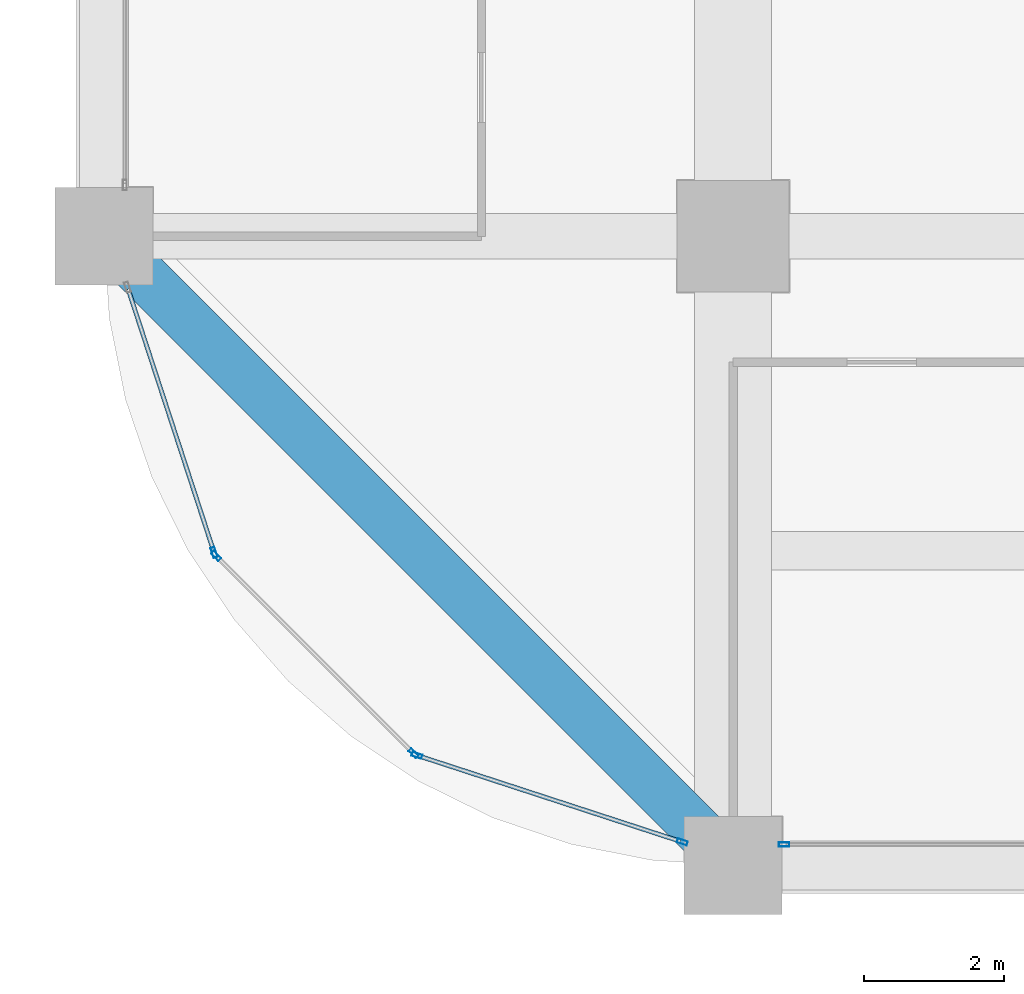
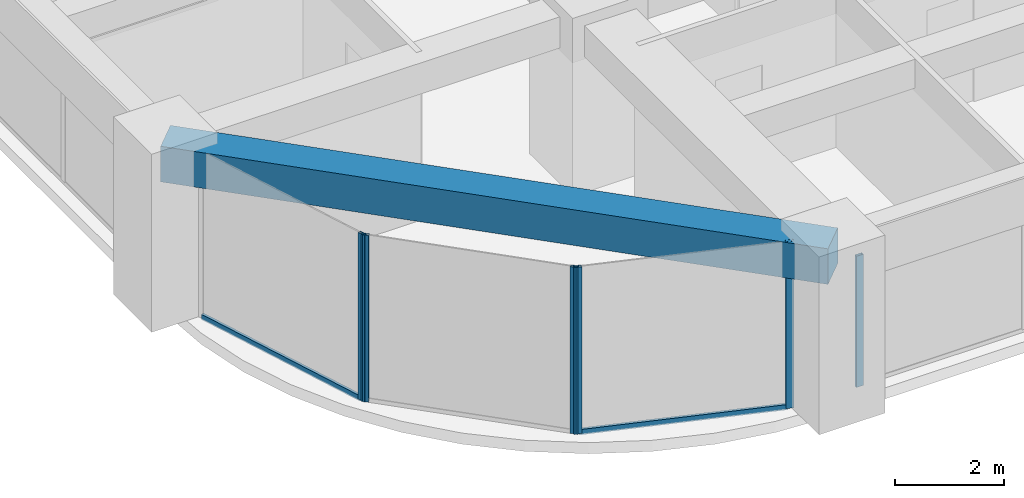
# One storey, part 2 of 34: 8 members, 1 beam, 4 elements without a shape of their own.
"""IFC4 building model written with IfcOpenShell, lengths in metres."""

from ifc_helpers import new_model, si_unit, direction, frame, origin, origin_2d, place, context, subcontext, project, spatial, rectangle, hollow_rectangle, extrude, material, material_profile, profile_set, type_object, element, aggregate, save


model = new_model("IFC4")

# Units and contexts
model_context = context("Model", 3, precision=1e-05, world=origin(), true_north=direction((0.0, 1.0)))
body_context = subcontext(model_context, "Body", "Model", "MODEL_VIEW")
ifc_project = project(units=[si_unit("LENGTHUNIT", "METRE"), si_unit("AREAUNIT", "SQUARE_METRE"), si_unit("VOLUMEUNIT", "CUBIC_METRE"), si_unit("PLANEANGLEUNIT", "RADIAN"), si_unit("MASSUNIT", "GRAM", prefix="KILO")], contexts=[model_context])

# Site, building, storey
site_placement = place(None, origin())
site = spatial("IfcSite", under=ifc_project, at=site_placement, CompositionType="ELEMENT")
building_placement = place(site_placement, origin())
building = spatial("IfcBuilding", under=site, at=building_placement, Name="Zorevar Civic Tower", CompositionType="ELEMENT")
storey_placement = place(building_placement, frame((0.0, 0.0, 170.199951171875)))
storey = spatial("IfcBuildingStorey", under=building, at=storey_placement, Name="L41", CompositionType="ELEMENT", Elevation=170.199951171875)

# Curtain wall, member
ifc_material_1 = material(Name="Dark grey solar-control glass in black aluminium frame", Category="aluminium")
curtain_wall_type = type_object("IfcCurtainWallType", Name="Curtain wall CW4 high zone", PredefinedType="NOTDEFINED", material=ifc_material_1)
curtain_wall_1_placement = place(storey_placement, origin())
curtain_wall_1 = element("IfcCurtainWall", 1, at=curtain_wall_1_placement, inside=storey, type_object=curtain_wall_type, Name="CW4 L41", PredefinedType="NOTDEFINED")
ifc_material_2 = material(Name="Aluminium, black anodised", Category="aluminium")
ifc_material_profile_1 = material_profile(ifc_material_2, hollow_rectangle(XDim=0.06005859375, YDim=0.14990234375, WallThickness=0.00390625, at=origin_2d()), Name="AL 150x60x4")
ifc_profile_set_1 = profile_set([ifc_material_profile_1], Name="Aluminium, black anodised")
member_type_1 = type_object("IfcMemberType", Name="CW4 mullion AL 150x60x4", PredefinedType="MULLION", material=ifc_profile_set_1)
member_1_placement = place(storey_placement, frame((9.72998046875, 0.300048828125, 0.0), z_axis=(0.0, 0.0, 1.0), x_axis=(0.0, 1.0, 0.0)))
member_1 = element("IfcMember", 2, at=member_1_placement, type_object=member_type_1, Name="CW4 mullion 1", PredefinedType="MULLION", context=body_context, shape_type="SweptSolid", body=[
    extrude(hollow_rectangle(XDim=0.06005859375, YDim=0.14990234375, WallThickness=0.00390625, at=origin_2d()), origin(), (0.0, 0.0, 1.0), 2.949951171875),
])
aggregate(curtain_wall_1, [member_1])

curtain_wall_2_placement = place(storey_placement, origin())
curtain_wall_2 = element("IfcCurtainWall", 3, at=curtain_wall_2_placement, inside=storey, type_object=curtain_wall_type, Name="CW4 L41", PredefinedType="NOTDEFINED")
member_2_placement = place(storey_placement, frame((1.57568359375, 4.477783203125, 0.0), z_axis=(0.0, 0.0, 1.0), x_axis=(0.950644749916, 0.310281419775, 0.0)))
member_2 = element("IfcMember", 4, at=member_2_placement, type_object=member_type_1, Name="CW4 mullion 2", PredefinedType="MULLION", context=body_context, shape_type="SweptSolid", body=[
    extrude(hollow_rectangle(XDim=0.06005859375, YDim=0.14990234375, WallThickness=0.00390625, at=origin_2d()), origin(), (0.0, 0.0, 1.0), 3.75),
])

# Curtain wall, members
curtain_wall_3_placement = place(storey_placement, origin())
curtain_wall_3 = element("IfcCurtainWall", 5, at=curtain_wall_3_placement, inside=storey, type_object=curtain_wall_type, Name="CW4 L41", PredefinedType="NOTDEFINED")
member_3_placement = place(storey_placement, frame((1.606201171875, 4.427978515625, 0.0), z_axis=(0.0, 0.0, 1.0), x_axis=(0.707106781187, 0.707106781187, 0.0)))
member_3 = element("IfcMember", 6, at=member_3_placement, type_object=member_type_1, Name="CW4 mullion 1", PredefinedType="MULLION", context=body_context, shape_type="SweptSolid", body=[
    extrude(hollow_rectangle(XDim=0.06005859375, YDim=0.14990234375, WallThickness=0.00390625, at=origin_2d()), origin(), (0.0, 0.0, 1.0), 3.75),
])
member_4_placement = place(storey_placement, frame((4.427978515625, 1.606201171875, 0.0), z_axis=(0.0, 0.0, 1.0), x_axis=(0.707106781187, 0.707106781187, 0.0)))
member_4 = element("IfcMember", 7, at=member_4_placement, type_object=member_type_1, Name="CW4 mullion 2", PredefinedType="MULLION", context=body_context, shape_type="SweptSolid", body=[
    extrude(hollow_rectangle(XDim=0.06005859375, YDim=0.14990234375, WallThickness=0.00390625, at=origin_2d()), origin(), (0.0, 0.0, 1.0), 3.75),
])
aggregate(curtain_wall_3, [member_3, member_4])

curtain_wall_4_placement = place(storey_placement, origin())
curtain_wall_4 = element("IfcCurtainWall", 8, at=curtain_wall_4_placement, inside=storey, type_object=curtain_wall_type, Name="CW4 L41", PredefinedType="NOTDEFINED")
member_5_placement = place(storey_placement, frame((4.477783203125, 1.57568359375, 0.0), z_axis=(0.0, 0.0, 1.0), x_axis=(0.310281419775, 0.950644749916, 0.0)))
member_5 = element("IfcMember", 9, at=member_5_placement, type_object=member_type_1, Name="CW4 mullion 1", PredefinedType="MULLION", context=body_context, shape_type="SweptSolid", body=[
    extrude(hollow_rectangle(XDim=0.06005859375, YDim=0.14990234375, WallThickness=0.00390625, at=origin_2d()), origin(), (0.0, 0.0, 1.0), 3.75),
])
member_6_placement = place(storey_placement, frame((8.271484375, 0.337646484375, 0.0), z_axis=(0.0, 0.0, 1.0), x_axis=(0.310281419775, 0.950644749916, 0.0)))
member_6 = element("IfcMember", 10, at=member_6_placement, type_object=member_type_1, Name="CW4 mullion 2", PredefinedType="MULLION", context=body_context, shape_type="SweptSolid", body=[
    extrude(hollow_rectangle(XDim=0.06005859375, YDim=0.14990234375, WallThickness=0.00390625, at=origin_2d()), origin(), (0.0, 0.0, 1.0), 3.75),
])

# Member
ifc_material_3 = material(Name="Aluminium, black anodised", Category="aluminium")
ifc_material_profile_2 = material_profile(ifc_material_3, hollow_rectangle(XDim=0.06005859375, YDim=0.1201171875, WallThickness=0.0029296875, at=origin_2d()), Name="AL 120x60x3")
ifc_profile_set_2 = profile_set([ifc_material_profile_2], Name="Aluminium, black anodised")
member_type_2 = type_object("IfcMemberType", Name="CW4 transom AL 120x60x3", PredefinedType="USERDEFINED", material=ifc_profile_set_2)
member_7_placement = place(storey_placement, frame((0.346923828125, 8.242919921875, 0.030029296875), z_axis=(0.31025859143, -0.950652200568, 0.0), x_axis=(0.950652200568, 0.31025859143, 0.0)))
member_7 = element("IfcMember", 11, at=member_7_placement, type_object=member_type_2, Name="CW4 sill transom", ObjectType="TRANSOM", PredefinedType="USERDEFINED", context=body_context, shape_type="SweptSolid", body=[
    extrude(hollow_rectangle(XDim=0.06005859375, YDim=0.1201171875, WallThickness=0.0029296875, at=origin_2d()), origin(), (0.0, 0.0, 1.0), 3.930419921875),
])

aggregate(curtain_wall_2, [member_2, member_7])

member_8_placement = place(storey_placement, frame((4.50634765625, 1.56640625, 0.030029296875), z_axis=(0.950652200568, -0.31025859143, 0.0), x_axis=(0.31025859143, 0.950652200568, 0.0)))
member_8 = element("IfcMember", 12, at=member_8_placement, type_object=member_type_2, Name="CW4 sill transom", ObjectType="TRANSOM", PredefinedType="USERDEFINED", context=body_context, shape_type="SweptSolid", body=[
    extrude(hollow_rectangle(XDim=0.06005859375, YDim=0.1201171875, WallThickness=0.0029296875, at=origin_2d()), origin(), (0.0, 0.0, 1.0), 3.930419921875),
])

aggregate(curtain_wall_4, [member_5, member_6, member_8])

# Beam
ifc_material_4 = material(Name="Concrete C50/60", Category="concrete")
ifc_material_profile_3 = material_profile(ifc_material_4, rectangle(XDim=0.699951171875, YDim=0.800048828125, at=origin_2d()), Name="RC 700x800")
ifc_profile_set_3 = profile_set([ifc_material_profile_3], Name="Concrete C50/60")
beam_type = type_object("IfcBeamType", Name="Edge beam RC 700x800", PredefinedType="SPANDREL", material=ifc_profile_set_3)
beam_placement = place(storey_placement, frame((0.0, 9.0, 3.35009765625), z_axis=(0.707106781187, -0.707106781187, 0.0), x_axis=(0.707106781187, 0.707106781187, 0.0)))
element("IfcBeam", 13, at=beam_placement, inside=storey, type_object=beam_type, Name="Corner edge beam L42", PredefinedType="SPANDREL", context=body_context, shape_type="SweptSolid", body=[
    extrude(rectangle(XDim=0.699951171875, YDim=0.800048828125, at=origin_2d()), origin(), (0.0, 0.0, 1.0), 12.72802734375),
])

save(model, "model.ifc")
